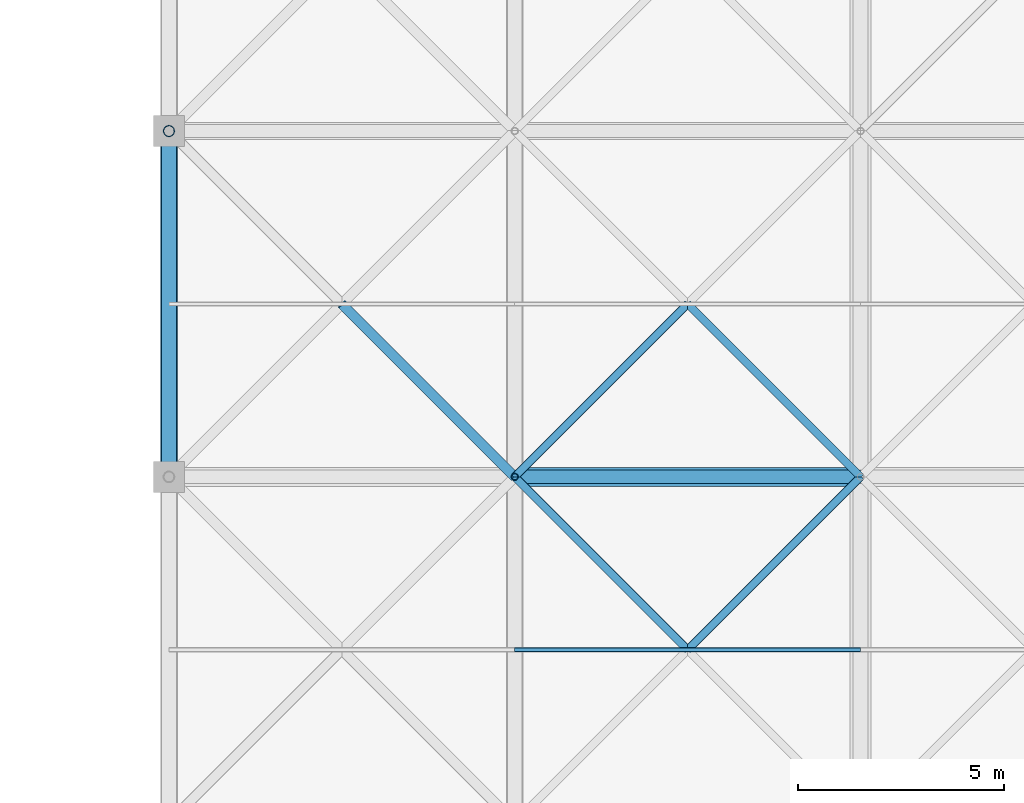
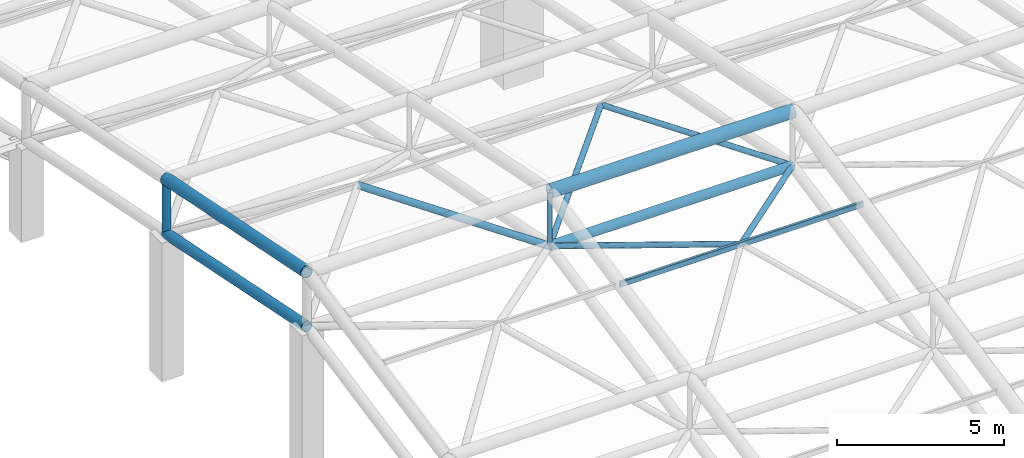
# One storey, part 39 of 110: 12 members.
"""IFC4 building model written with IfcOpenShell, lengths in metres."""

from ifc_helpers import new_model, si_unit, direction, frame, origin, origin_2d, place, context, subcontext, project, spatial, hollow_rectangle, hollow_circle, extrude, material, material_profile, profile_set, type_object, element, save


model = new_model("IFC4")

# Units and contexts
model_context = context("Model", 3, precision=1e-05, world=origin(), true_north=direction((0.0, 1.0)))
body_context = subcontext(model_context, "Body", "Model", "MODEL_VIEW")
ifc_project = project(units=[si_unit("LENGTHUNIT", "METRE"), si_unit("AREAUNIT", "SQUARE_METRE"), si_unit("VOLUMEUNIT", "CUBIC_METRE"), si_unit("PLANEANGLEUNIT", "RADIAN"), si_unit("MASSUNIT", "GRAM", prefix="KILO")], contexts=[model_context])

# Site, building, storey
site_placement = place(None, origin())
site = spatial("IfcSite", under=ifc_project, at=site_placement, CompositionType="ELEMENT")
building_placement = place(site_placement, origin())
building = spatial("IfcBuilding", under=site, at=building_placement, Name="Qawsi Khor Wholesale Market", CompositionType="ELEMENT")
storey_placement = place(building_placement, frame((0.0, 0.0, 11.39990234375)))
storey = spatial("IfcBuildingStorey", under=building, at=storey_placement, Name="L02", CompositionType="ELEMENT", Elevation=11.39990234375)

# Members
ifc_material = material(Name="Steel S355", Category="steel")
ifc_material_profile_1 = material_profile(ifc_material, hollow_circle(Radius=0.177734375, WallThickness=0.01611328125, at=origin_2d()), Name="CHS 355.6x16.0")
ifc_profile_set_1 = profile_set([ifc_material_profile_1], Name="Steel S355")
member_type_1 = type_object("IfcMemberType", Name="Space-Frame Bottom Chord CHS 355.6x16.0", PredefinedType="CHORD", material=ifc_profile_set_1)
member_1_placement = place(storey_placement, frame((142.800048828125, 75.60009765625, 6.77001953125), z_axis=(0.0, 0.980129990483, -0.1983562496), x_axis=(-1.0, 0.0, 0.0)))
element("IfcMember", 1, at=member_1_placement, inside=storey, type_object=member_type_1, Name="Space frame bottom chord Y EH (17,9)", PredefinedType="CHORD", context=body_context, shape_type="SweptSolid", body=[
    extrude(hollow_circle(Radius=0.177734375, WallThickness=0.01611328125, at=origin_2d()), origin(), (0.0, 0.0, 1.0), 8.5703125),
])
ifc_material_profile_2 = material_profile(ifc_material, hollow_circle(Radius=0.136474609375, WallThickness=0.012451171875, at=origin_2d()), Name="CHS 273.0x12.5")
ifc_profile_set_2 = profile_set([ifc_material_profile_2], Name="Steel S355")
member_type_2 = type_object("IfcMemberType", Name="Space-Frame Edge Post CHS 273.0x12.5", PredefinedType="POST", material=ifc_profile_set_2)
member_2_placement = place(storey_placement, frame((142.800048828125, 84.0, 5.070068359375), z_axis=(0.0, 0.0, 1.0), x_axis=(1.0, 0.0, 0.0)))
element("IfcMember", 2, at=member_2_placement, inside=storey, type_object=member_type_2, Name="Space frame post EH (17,10)", PredefinedType="POST", context=body_context, shape_type="SweptSolid", body=[
    extrude(hollow_circle(Radius=0.136474609375, WallThickness=0.012451171875, at=origin_2d()), origin(), (0.0, 0.0, 1.0), 2.0),
])
ifc_material_profile_3 = material_profile(ifc_material, hollow_circle(Radius=0.122314453125, WallThickness=0.012451171875, at=origin_2d()), Name="CHS 244.5x12.5")
ifc_profile_set_3 = profile_set([ifc_material_profile_3], Name="Steel S355")
member_type_3 = type_object("IfcMemberType", Name="Space-Frame Heavy Diagonal CHS 244.5x12.5", PredefinedType="POST", material=ifc_profile_set_3)
member_3_placement = place(storey_placement, frame((151.199951171875, 75.60009765625, 6.77001953125), z_axis=(-0.694211389158, 0.694211389158, 0.190108112208), x_axis=(-0.707106781187, -0.707106781187, 0.0)))
element("IfcMember", 3, at=member_3_placement, inside=storey, type_object=member_type_3, Name="Space frame diagonal EH (17,9)-2", PredefinedType="POST", context=body_context, shape_type="SweptSolid", body=[
    extrude(hollow_circle(Radius=0.122314453125, WallThickness=0.012451171875, at=origin_2d()), origin(), (0.0, 0.0, 1.0), 6.050048828125),
])
ifc_material_profile_4 = material_profile(ifc_material, hollow_rectangle(XDim=0.10009765625, YDim=0.199951171875, WallThickness=0.008056640625, InnerFilletRadius=0.008056640625, OuterFilletRadius=0.01611328125, at=origin_2d()), Name="RHS 200x100x8.0")
ifc_profile_set_4 = profile_set([ifc_material_profile_4], Name="Steel S355")
member_type_4 = type_object("IfcMemberType", Name="Space-Frame Purlin RHS 200x100x8.0", PredefinedType="PURLIN", material=ifc_profile_set_4)
member_4_placement = place(storey_placement, frame((151.199951171875, 71.39990234375, 7.920166015625), z_axis=(1.0, 0.0, 0.0), x_axis=(0.0, 1.0, 0.0)))
element("IfcMember", 4, at=member_4_placement, inside=storey, type_object=member_type_4, Name="Space frame purlin EH (18,8)", PredefinedType="PURLIN", context=body_context, shape_type="SweptSolid", body=[
    extrude(hollow_rectangle(XDim=0.10009765625, YDim=0.199951171875, WallThickness=0.008056640625, InnerFilletRadius=0.008056640625, OuterFilletRadius=0.01611328125, at=origin_2d()), origin(), (0.0, 0.0, 1.0), 8.400146484375),
])
ifc_material_profile_5 = material_profile(ifc_material, hollow_circle(Radius=0.228515625, WallThickness=0.02001953125, at=origin_2d()), Name="CHS 457.0x20.0")
ifc_profile_set_5 = profile_set([ifc_material_profile_5], Name="Steel S355")
member_type_5 = type_object("IfcMemberType", Name="Space-Frame Ridge Chord CHS 457.0x20.0", PredefinedType="CHORD", material=ifc_profile_set_5)
member_5_placement = place(storey_placement, frame((151.199951171875, 75.60009765625, 8.77001953125), z_axis=(1.0, 0.0, 0.0), x_axis=(0.0, 1.0, 0.0)))
element("IfcMember", 5, at=member_5_placement, inside=storey, type_object=member_type_5, Name="Space frame top chord X EH (18,9)", PredefinedType="CHORD", context=body_context, shape_type="SweptSolid", body=[
    extrude(hollow_circle(Radius=0.228515625, WallThickness=0.02001953125, at=origin_2d()), origin(), (0.0, 0.0, 1.0), 8.400146484375),
])
ifc_material_profile_6 = material_profile(ifc_material, hollow_circle(Radius=0.161865234375, WallThickness=0.01611328125, at=origin_2d()), Name="CHS 323.9x16.0")
ifc_profile_set_6 = profile_set([ifc_material_profile_6], Name="Steel S355")
member_type_6 = type_object("IfcMemberType", Name="Space-Frame Secondary Chord CHS 323.9x16.0", PredefinedType="CHORD", material=ifc_profile_set_6)
member_6_placement = place(storey_placement, frame((151.199951171875, 75.60009765625, 6.77001953125), z_axis=(1.0, 0.0, 0.0), x_axis=(0.0, 1.0, 0.0)))
element("IfcMember", 6, at=member_6_placement, inside=storey, type_object=member_type_6, Name="Space frame bottom chord X EH (18,9)", PredefinedType="CHORD", context=body_context, shape_type="SweptSolid", body=[
    extrude(hollow_circle(Radius=0.161865234375, WallThickness=0.01611328125, at=origin_2d()), origin(), (0.0, 0.0, 1.0), 8.400146484375),
])
ifc_material_profile_7 = material_profile(ifc_material, hollow_circle(Radius=0.096923828125, WallThickness=0.008056640625, at=origin_2d()), Name="CHS 193.7x8.0")
ifc_profile_set_7 = profile_set([ifc_material_profile_7], Name="Steel S355")
member_type_7 = type_object("IfcMemberType", Name="Space-Frame Secondary Diagonal CHS 193.7x8.0", PredefinedType="RAFTER", material=ifc_profile_set_7)
member_7_placement = place(storey_placement, frame((159.60009765625, 75.60009765625, 6.77001953125), z_axis=(-0.694212847476, -0.694212847476, 0.190097461315), x_axis=(0.707106781187, -0.707106781187, 0.0)))
element("IfcMember", 7, at=member_7_placement, inside=storey, type_object=member_type_7, Name="Space frame diagonal EH (18,8)-3", PredefinedType="RAFTER", context=body_context, shape_type="SweptSolid", body=[
    extrude(hollow_circle(Radius=0.096923828125, WallThickness=0.008056640625, at=origin_2d()), origin(), (0.0, 0.0, 1.0), 6.05029296875),
])
for number, where, z_axis, x_axis, name in (
    (8, (151.199951171875, 75.60009765625, 6.77001953125), (0.694191941586, -0.694232294544, 0.190102786538), (0.707127332136, 0.70708622964, 0.0), "Space frame diagonal EH (18,8)-4"),
    (9, (151.199951171875, 75.60009765625, 6.77001953125), (0.694211389158, 0.694211389158, 0.190108112208), (-0.707106781187, 0.707106781187, 0.0), "Space frame diagonal EH (18,9)-1"),
    (10, (159.60009765625, 75.60009765625, 6.77001953125), (-0.694232294544, 0.694191941586, 0.190102786538), (-0.70708622964, -0.707127332136, 0.0), "Space frame diagonal EH (18,9)-2"),
):
    element("IfcMember", number, at=place(storey_placement, frame(where, z_axis=z_axis, x_axis=x_axis)), inside=storey, type_object=member_type_7, Name=name, PredefinedType="RAFTER", context=body_context, shape_type="SweptSolid", body=[
        extrude(hollow_circle(Radius=0.096923828125, WallThickness=0.008056640625, at=origin_2d()), origin(), (0.0, 0.0, 1.0), 6.050048828125),
    ])
ifc_material_profile_8 = material_profile(ifc_material, hollow_circle(Radius=0.203125, WallThickness=0.02001953125, at=origin_2d()), Name="CHS 406.4x20.0")
ifc_profile_set_8 = profile_set([ifc_material_profile_8], Name="Steel S355")
member_type_8 = type_object("IfcMemberType", Name="Space-Frame Top Chord CHS 406.4x20.0", PredefinedType="CHORD", material=ifc_profile_set_8)
member_8_placement = place(storey_placement, frame((142.800048828125, 75.60009765625, 8.77001953125), z_axis=(0.0, 0.980129990483, -0.1983562496), x_axis=(-1.0, 0.0, 0.0)))
element("IfcMember", 11, at=member_8_placement, inside=storey, type_object=member_type_8, Name="Space frame top chord Y EH (17,9)", PredefinedType="CHORD", context=body_context, shape_type="SweptSolid", body=[
    extrude(hollow_circle(Radius=0.203125, WallThickness=0.02001953125, at=origin_2d()), origin(), (0.0, 0.0, 1.0), 8.5703125),
])
ifc_material_profile_9 = material_profile(ifc_material, hollow_circle(Radius=0.084228515625, WallThickness=0.008056640625, at=origin_2d()), Name="CHS 168.3x8.0")
ifc_profile_set_9 = profile_set([ifc_material_profile_9], Name="Steel S355")
member_type_9 = type_object("IfcMemberType", Name="Space-Frame Vertical Strut CHS 168.3x8.0", PredefinedType="STRUT", material=ifc_profile_set_9)
member_9_placement = place(storey_placement, frame((151.199951171875, 75.60009765625, 6.77001953125), z_axis=(0.0, 0.0, 1.0), x_axis=(1.0, 0.0, 0.0)))
element("IfcMember", 12, at=member_9_placement, inside=storey, type_object=member_type_9, Name="Space frame post EH (18,9)", PredefinedType="STRUT", context=body_context, shape_type="SweptSolid", body=[
    extrude(hollow_circle(Radius=0.084228515625, WallThickness=0.008056640625, at=origin_2d()), origin(), (0.0, 0.0, 1.0), 2.0),
])

save(model, "model.ifc")
